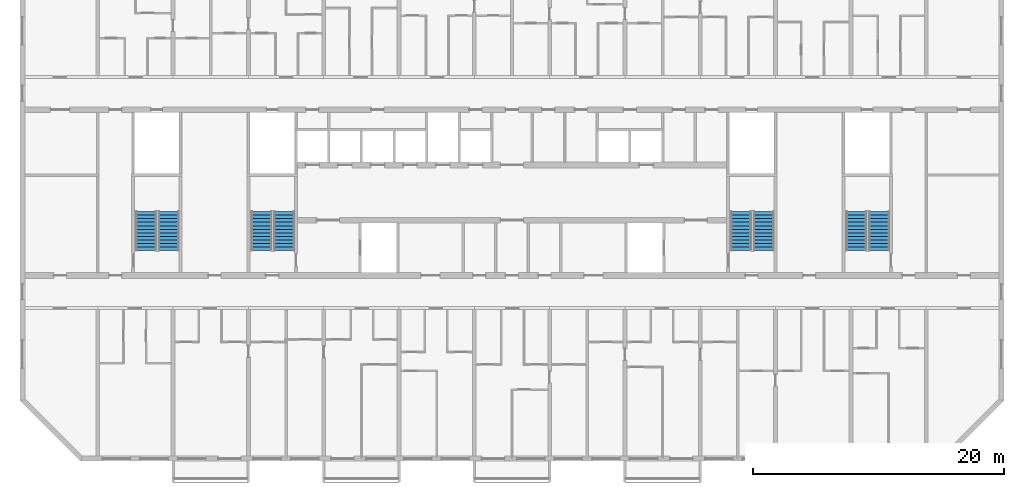
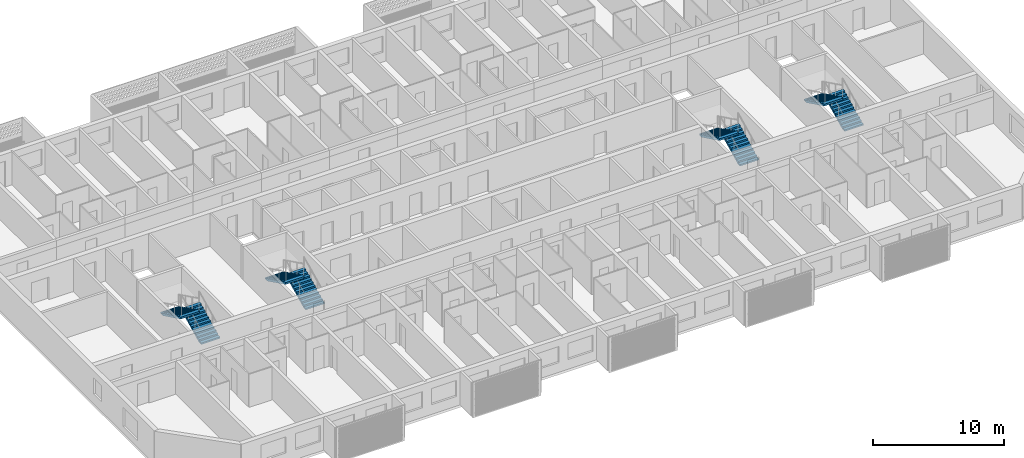
# One storey, part 14 of 33: 8 stair flights, 4 elements without a shape of their own.
"""IFC4 building model written with IfcOpenShell, lengths in metres."""

from ifc_helpers import new_model, si_unit, direction, frame, origin, place, context, subcontext, project, spatial, polyline, outline, extrude, material, layer, layer_set, type_object, element, aggregate, save


model = new_model("IFC4")

# Units and contexts
model_context = context("Model", 3, precision=1e-05, world=origin(), true_north=direction((0.0, 1.0)))
body_context = subcontext(model_context, "Body", "Model", "MODEL_VIEW")
ifc_project = project(units=[si_unit("LENGTHUNIT", "METRE"), si_unit("AREAUNIT", "SQUARE_METRE"), si_unit("VOLUMEUNIT", "CUBIC_METRE"), si_unit("PLANEANGLEUNIT", "RADIAN"), si_unit("MASSUNIT", "GRAM", prefix="KILO")], contexts=[model_context])

# Site, building, storey
site_placement = place(None, origin())
site = spatial("IfcSite", under=ifc_project, at=site_placement, CompositionType="ELEMENT")
building_placement = place(site_placement, origin())
building = spatial("IfcBuilding", under=site, at=building_placement, Name="Poui Terraces", CompositionType="ELEMENT")
storey_placement = place(building_placement, frame((0.0, 0.0, 138.89990234375)))
storey = spatial("IfcBuildingStorey", under=building, at=storey_placement, Name="L38", CompositionType="ELEMENT", Elevation=138.89990234375)

# Stair, stair flights
ifc_material = material(Name="Concrete 65 MPa", Category="concrete")
stair_type = type_object("IfcStairType", Name="EXIT STAIR 1650 65 MPA", PredefinedType="HALF_TURN_STAIR", material=ifc_material)
stair_1_placement = place(storey_placement, origin())
stair_1 = element("IfcStair", 1, at=stair_1_placement, inside=storey, type_object=stair_type, Name="L38 CORE STAIR EAST", PredefinedType="HALF_TURN_STAIR")
ifc_layer = layer(ifc_material, 0.14990234375)
ifc_layer_set = layer_set([ifc_layer], Name="Concrete 65 MPa")
stair_flight_type = type_object("IfcStairFlightType", Name="STAIR FLIGHT 12 RISERS 138 RISE 65 MPA", PredefinedType="STRAIGHT", material=ifc_layer_set)
stair_flight_1_placement = place(storey_placement, frame((71.050048828125, 16.60009765625, 0.0), z_axis=(0.0, 0.0, 1.0), x_axis=(0.0, 1.0, 0.0)))
stair_flight_1 = element("IfcStairFlight", 2, at=stair_flight_1_placement, type_object=stair_flight_type, Name="ST-CE flight 1", NumberOfRisers=12, NumberOfTreads=11, PredefinedType="STRAIGHT", RiserHeight=0.1375, TreadLength=0.28, context=body_context, shape_type="SweptSolid", body=[
    extrude(outline(polyline([(0.0, 0.0), (0.0, 0.137451171875), (0.280029296875, 0.137451171875), (0.280029296875, 0.27490234375), (0.56005859375, 0.27490234375), (0.56005859375, 0.41259765625), (0.840087890625, 0.41259765625), (0.840087890625, 0.550048828125), (1.1201171875, 0.550048828125), (1.1201171875, 0.6875), (1.39990234375, 0.6875), (1.39990234375, 0.824951171875), (1.679931640625, 0.824951171875), (1.679931640625, 0.96240234375), (1.9599609375, 0.96240234375), (1.9599609375, 1.10009765625), (2.239990234375, 1.10009765625), (2.239990234375, 1.237548828125), (2.52001953125, 1.237548828125), (2.52001953125, 1.375), (2.800048828125, 1.375), (2.800048828125, 1.512451171875), (3.080078125, 1.512451171875), (3.080078125, 1.64990234375), (3.080078125, 1.345458984375), (0.340087890625, 0.0), (0.0, 0.0)])), frame((0.0, 0.824951171875, 0.0), z_axis=(0.0, -1.0, 0.0), x_axis=(1.0, 0.0, 0.0)), (0.0, 0.0, 1.0), 1.64990234375),
])
stair_flight_2_placement = place(storey_placement, frame((69.25, 19.679931640625, 1.650146484375), z_axis=(0.0, 0.0, 1.0), x_axis=(0.0, -1.0, 0.0)))
stair_flight_2 = element("IfcStairFlight", 3, at=stair_flight_2_placement, type_object=stair_flight_type, Name="ST-CE flight 2", NumberOfRisers=12, NumberOfTreads=11, PredefinedType="STRAIGHT", RiserHeight=0.1375, TreadLength=0.28, context=body_context, shape_type="SweptSolid", body=[
    extrude(outline(polyline([(0.0, 0.0), (0.0, 0.137451171875), (0.280029296875, 0.137451171875), (0.280029296875, 0.27490234375), (0.56005859375, 0.27490234375), (0.56005859375, 0.41259765625), (0.840087890625, 0.41259765625), (0.840087890625, 0.550048828125), (1.1201171875, 0.550048828125), (1.1201171875, 0.6875), (1.39990234375, 0.6875), (1.39990234375, 0.824951171875), (1.679931640625, 0.824951171875), (1.679931640625, 0.96240234375), (1.9599609375, 0.96240234375), (1.9599609375, 1.10009765625), (2.239990234375, 1.10009765625), (2.239990234375, 1.237548828125), (2.52001953125, 1.237548828125), (2.52001953125, 1.375), (2.800048828125, 1.375), (2.800048828125, 1.512451171875), (3.080078125, 1.512451171875), (3.080078125, 1.64990234375), (3.080078125, 1.345458984375), (0.340087890625, 0.0), (0.0, 0.0)])), frame((0.0, 0.824951171875, 0.0), z_axis=(0.0, -1.0, 0.0), x_axis=(1.0, 0.0, 0.0)), (0.0, 0.0, 1.0), 1.64990234375),
])
aggregate(stair_1, [stair_flight_1, stair_flight_2])

stair_2_placement = place(storey_placement, origin())
stair_2 = element("IfcStair", 4, at=stair_2_placement, inside=storey, type_object=stair_type, Name="L38 CORE STAIR WEST", PredefinedType="HALF_TURN_STAIR")
stair_flight_3_placement = place(storey_placement, frame((32.85009765625, 16.60009765625, 0.0), z_axis=(0.0, 0.0, 1.0), x_axis=(0.0, 1.0, 0.0)))
stair_flight_3 = element("IfcStairFlight", 5, at=stair_flight_3_placement, type_object=stair_flight_type, Name="ST-CW flight 1", NumberOfRisers=12, NumberOfTreads=11, PredefinedType="STRAIGHT", RiserHeight=0.1375, TreadLength=0.28, context=body_context, shape_type="SweptSolid", body=[
    extrude(outline(polyline([(0.0, 0.0), (0.0, 0.137451171875), (0.280029296875, 0.137451171875), (0.280029296875, 0.27490234375), (0.56005859375, 0.27490234375), (0.56005859375, 0.41259765625), (0.840087890625, 0.41259765625), (0.840087890625, 0.550048828125), (1.1201171875, 0.550048828125), (1.1201171875, 0.6875), (1.39990234375, 0.6875), (1.39990234375, 0.824951171875), (1.679931640625, 0.824951171875), (1.679931640625, 0.96240234375), (1.9599609375, 0.96240234375), (1.9599609375, 1.10009765625), (2.239990234375, 1.10009765625), (2.239990234375, 1.237548828125), (2.52001953125, 1.237548828125), (2.52001953125, 1.375), (2.800048828125, 1.375), (2.800048828125, 1.512451171875), (3.080078125, 1.512451171875), (3.080078125, 1.64990234375), (3.080078125, 1.345458984375), (0.340087890625, 0.0), (0.0, 0.0)])), frame((0.0, 0.824951171875, 0.0), z_axis=(0.0, -1.0, 0.0), x_axis=(1.0, 0.0, 0.0)), (0.0, 0.0, 1.0), 1.64990234375),
])
stair_flight_4_placement = place(storey_placement, frame((31.050048828125, 19.679931640625, 1.650146484375), z_axis=(0.0, 0.0, 1.0), x_axis=(0.0, -1.0, 0.0)))
stair_flight_4 = element("IfcStairFlight", 6, at=stair_flight_4_placement, type_object=stair_flight_type, Name="ST-CW flight 2", NumberOfRisers=12, NumberOfTreads=11, PredefinedType="STRAIGHT", RiserHeight=0.1375, TreadLength=0.28, context=body_context, shape_type="SweptSolid", body=[
    extrude(outline(polyline([(0.0, 0.0), (0.0, 0.137451171875), (0.280029296875, 0.137451171875), (0.280029296875, 0.27490234375), (0.56005859375, 0.27490234375), (0.56005859375, 0.41259765625), (0.840087890625, 0.41259765625), (0.840087890625, 0.550048828125), (1.1201171875, 0.550048828125), (1.1201171875, 0.6875), (1.39990234375, 0.6875), (1.39990234375, 0.824951171875), (1.679931640625, 0.824951171875), (1.679931640625, 0.96240234375), (1.9599609375, 0.96240234375), (1.9599609375, 1.10009765625), (2.239990234375, 1.10009765625), (2.239990234375, 1.237548828125), (2.52001953125, 1.237548828125), (2.52001953125, 1.375), (2.800048828125, 1.375), (2.800048828125, 1.512451171875), (3.080078125, 1.512451171875), (3.080078125, 1.64990234375), (3.080078125, 1.345458984375), (0.340087890625, 0.0), (0.0, 0.0)])), frame((0.0, 0.824951171875, 0.0), z_axis=(0.0, -1.0, 0.0), x_axis=(1.0, 0.0, 0.0)), (0.0, 0.0, 1.0), 1.64990234375),
])
aggregate(stair_2, [stair_flight_3, stair_flight_4])

stair_3_placement = place(storey_placement, origin())
stair_3 = element("IfcStair", 7, at=stair_3_placement, inside=storey, type_object=stair_type, Name="L38 TIP STAIR EAST", PredefinedType="HALF_TURN_STAIR")
stair_flight_5_placement = place(storey_placement, frame((80.25, 16.60009765625, 0.0), z_axis=(0.0, 0.0, 1.0), x_axis=(0.0, 1.0, 0.0)))
stair_flight_5 = element("IfcStairFlight", 8, at=stair_flight_5_placement, type_object=stair_flight_type, Name="ST-E flight 1", NumberOfRisers=12, NumberOfTreads=11, PredefinedType="STRAIGHT", RiserHeight=0.1375, TreadLength=0.28, context=body_context, shape_type="SweptSolid", body=[
    extrude(outline(polyline([(0.0, 0.0), (0.0, 0.137451171875), (0.280029296875, 0.137451171875), (0.280029296875, 0.27490234375), (0.56005859375, 0.27490234375), (0.56005859375, 0.41259765625), (0.840087890625, 0.41259765625), (0.840087890625, 0.550048828125), (1.1201171875, 0.550048828125), (1.1201171875, 0.6875), (1.39990234375, 0.6875), (1.39990234375, 0.824951171875), (1.679931640625, 0.824951171875), (1.679931640625, 0.96240234375), (1.9599609375, 0.96240234375), (1.9599609375, 1.10009765625), (2.239990234375, 1.10009765625), (2.239990234375, 1.237548828125), (2.52001953125, 1.237548828125), (2.52001953125, 1.375), (2.800048828125, 1.375), (2.800048828125, 1.512451171875), (3.080078125, 1.512451171875), (3.080078125, 1.64990234375), (3.080078125, 1.345458984375), (0.340087890625, 0.0), (0.0, 0.0)])), frame((0.0, 0.824951171875, 0.0), z_axis=(0.0, -1.0, 0.0), x_axis=(1.0, 0.0, 0.0)), (0.0, 0.0, 1.0), 1.64990234375),
])
stair_flight_6_placement = place(storey_placement, frame((78.449951171875, 19.679931640625, 1.650146484375), z_axis=(0.0, 0.0, 1.0), x_axis=(0.0, -1.0, 0.0)))
stair_flight_6 = element("IfcStairFlight", 9, at=stair_flight_6_placement, type_object=stair_flight_type, Name="ST-E flight 2", NumberOfRisers=12, NumberOfTreads=11, PredefinedType="STRAIGHT", RiserHeight=0.1375, TreadLength=0.28, context=body_context, shape_type="SweptSolid", body=[
    extrude(outline(polyline([(0.0, 0.0), (0.0, 0.137451171875), (0.280029296875, 0.137451171875), (0.280029296875, 0.27490234375), (0.56005859375, 0.27490234375), (0.56005859375, 0.41259765625), (0.840087890625, 0.41259765625), (0.840087890625, 0.550048828125), (1.1201171875, 0.550048828125), (1.1201171875, 0.6875), (1.39990234375, 0.6875), (1.39990234375, 0.824951171875), (1.679931640625, 0.824951171875), (1.679931640625, 0.96240234375), (1.9599609375, 0.96240234375), (1.9599609375, 1.10009765625), (2.239990234375, 1.10009765625), (2.239990234375, 1.237548828125), (2.52001953125, 1.237548828125), (2.52001953125, 1.375), (2.800048828125, 1.375), (2.800048828125, 1.512451171875), (3.080078125, 1.512451171875), (3.080078125, 1.64990234375), (3.080078125, 1.345458984375), (0.340087890625, 0.0), (0.0, 0.0)])), frame((0.0, 0.824951171875, 0.0), z_axis=(0.0, -1.0, 0.0), x_axis=(1.0, 0.0, 0.0)), (0.0, 0.0, 1.0), 1.64990234375),
])
aggregate(stair_3, [stair_flight_5, stair_flight_6])

stair_4_placement = place(storey_placement, origin())
stair_4 = element("IfcStair", 10, at=stair_4_placement, inside=storey, type_object=stair_type, Name="L38 TIP STAIR WEST", PredefinedType="HALF_TURN_STAIR")
stair_flight_7_placement = place(storey_placement, frame((23.64990234375, 16.60009765625, 0.0), z_axis=(0.0, 0.0, 1.0), x_axis=(0.0, 1.0, 0.0)))
stair_flight_7 = element("IfcStairFlight", 11, at=stair_flight_7_placement, type_object=stair_flight_type, Name="ST-W flight 1", NumberOfRisers=12, NumberOfTreads=11, PredefinedType="STRAIGHT", RiserHeight=0.1375, TreadLength=0.28, context=body_context, shape_type="SweptSolid", body=[
    extrude(outline(polyline([(0.0, 0.0), (0.0, 0.137451171875), (0.280029296875, 0.137451171875), (0.280029296875, 0.27490234375), (0.56005859375, 0.27490234375), (0.56005859375, 0.41259765625), (0.840087890625, 0.41259765625), (0.840087890625, 0.550048828125), (1.1201171875, 0.550048828125), (1.1201171875, 0.6875), (1.39990234375, 0.6875), (1.39990234375, 0.824951171875), (1.679931640625, 0.824951171875), (1.679931640625, 0.96240234375), (1.9599609375, 0.96240234375), (1.9599609375, 1.10009765625), (2.239990234375, 1.10009765625), (2.239990234375, 1.237548828125), (2.52001953125, 1.237548828125), (2.52001953125, 1.375), (2.800048828125, 1.375), (2.800048828125, 1.512451171875), (3.080078125, 1.512451171875), (3.080078125, 1.64990234375), (3.080078125, 1.345458984375), (0.340087890625, 0.0), (0.0, 0.0)])), frame((0.0, 0.824951171875, 0.0), z_axis=(0.0, -1.0, 0.0), x_axis=(1.0, 0.0, 0.0)), (0.0, 0.0, 1.0), 1.64990234375),
])
stair_flight_8_placement = place(storey_placement, frame((21.85009765625, 19.679931640625, 1.650146484375), z_axis=(0.0, 0.0, 1.0), x_axis=(0.0, -1.0, 0.0)))
stair_flight_8 = element("IfcStairFlight", 12, at=stair_flight_8_placement, type_object=stair_flight_type, Name="ST-W flight 2", NumberOfRisers=12, NumberOfTreads=11, PredefinedType="STRAIGHT", RiserHeight=0.1375, TreadLength=0.28, context=body_context, shape_type="SweptSolid", body=[
    extrude(outline(polyline([(0.0, 0.0), (0.0, 0.137451171875), (0.280029296875, 0.137451171875), (0.280029296875, 0.27490234375), (0.56005859375, 0.27490234375), (0.56005859375, 0.41259765625), (0.840087890625, 0.41259765625), (0.840087890625, 0.550048828125), (1.1201171875, 0.550048828125), (1.1201171875, 0.6875), (1.39990234375, 0.6875), (1.39990234375, 0.824951171875), (1.679931640625, 0.824951171875), (1.679931640625, 0.96240234375), (1.9599609375, 0.96240234375), (1.9599609375, 1.10009765625), (2.239990234375, 1.10009765625), (2.239990234375, 1.237548828125), (2.52001953125, 1.237548828125), (2.52001953125, 1.375), (2.800048828125, 1.375), (2.800048828125, 1.512451171875), (3.080078125, 1.512451171875), (3.080078125, 1.64990234375), (3.080078125, 1.345458984375), (0.340087890625, 0.0), (0.0, 0.0)])), frame((0.0, 0.824951171875, 0.0), z_axis=(0.0, -1.0, 0.0), x_axis=(1.0, 0.0, 0.0)), (0.0, 0.0, 1.0), 1.64990234375),
])
aggregate(stair_4, [stair_flight_7, stair_flight_8])

save(model, "model.ifc")
